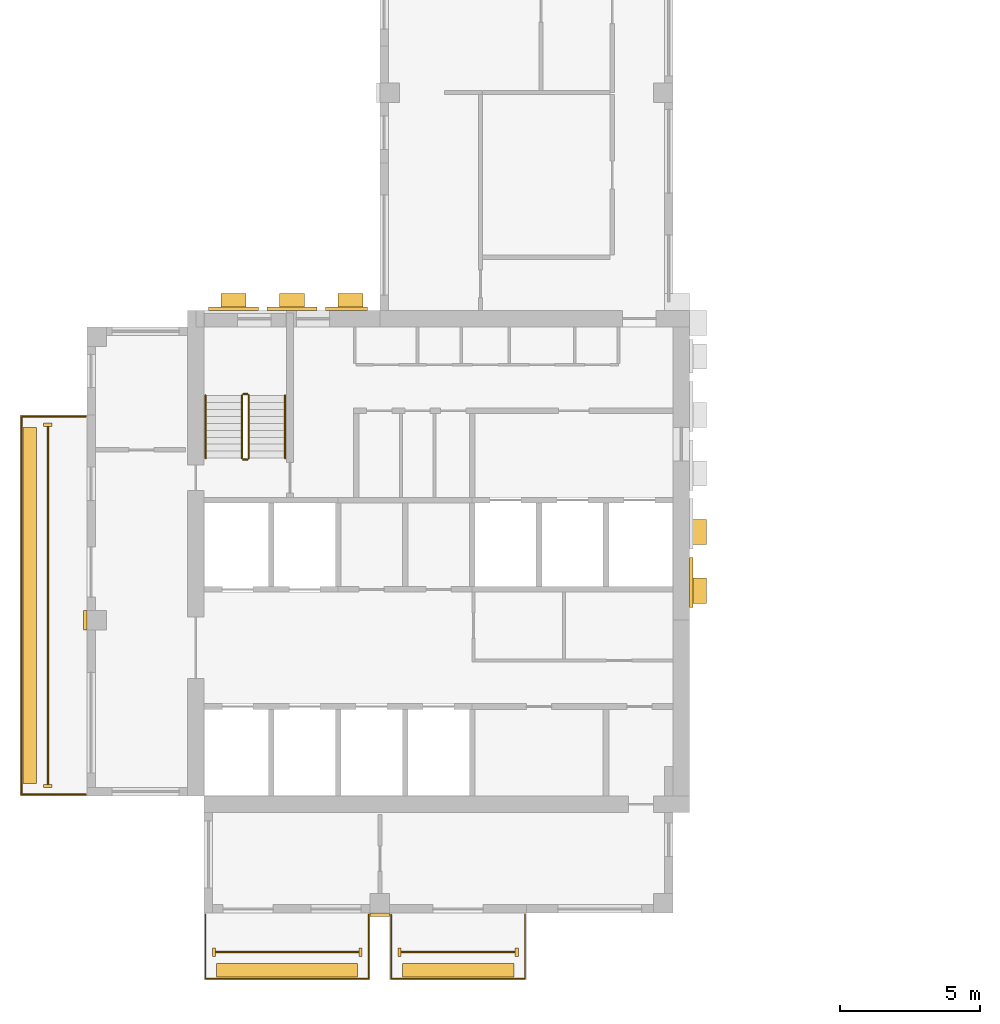
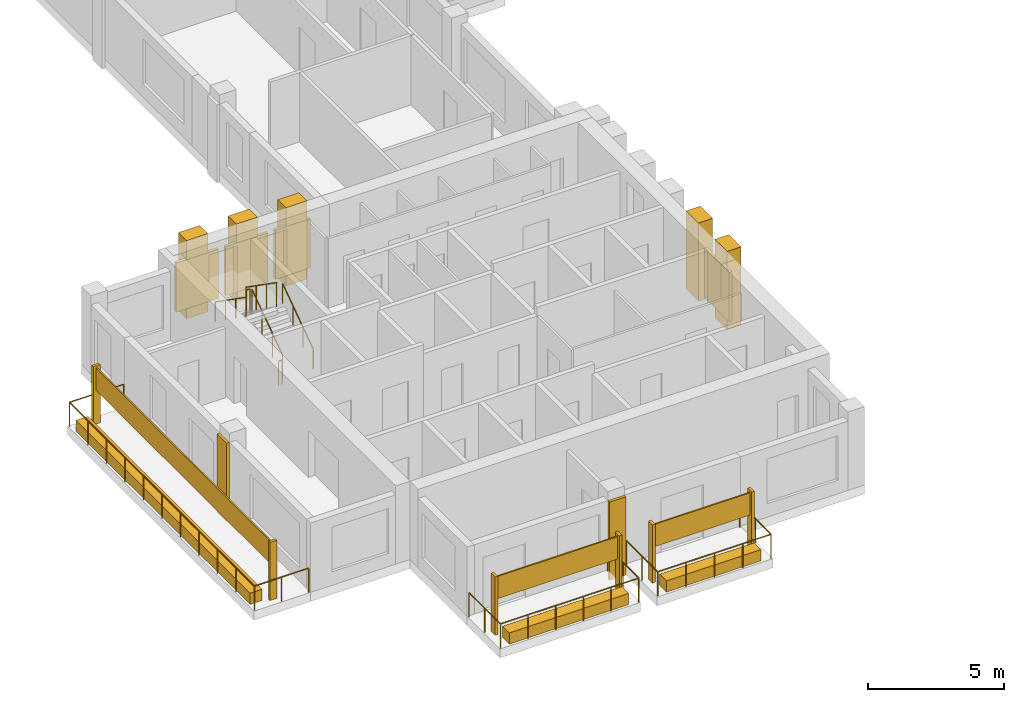
# One storey, part 6 of 9: 23 coverings, 9 railings.
"""IFC4 building model written with IfcOpenShell, lengths in metres."""

from ifc_helpers import new_model, si_unit, direction, frame, origin, origin_2d, place, context, subcontext, project, spatial, rectangle, circle, extrude, source, transform, mapped, material, type_object, element, save


model = new_model("IFC4")

# Units and contexts
model_context = context("Model", 3, precision=1e-05, world=origin(), true_north=direction((0.0, 1.0)))
body_context = subcontext(model_context, "Body", "Model", "MODEL_VIEW")
ifc_project = project(units=[si_unit("LENGTHUNIT", "METRE"), si_unit("AREAUNIT", "SQUARE_METRE"), si_unit("VOLUMEUNIT", "CUBIC_METRE"), si_unit("PLANEANGLEUNIT", "RADIAN"), si_unit("MASSUNIT", "GRAM", prefix="KILO")], contexts=[model_context])

# Site, building, storey
site_placement = place(None, origin())
site = spatial("IfcSite", under=ifc_project, at=site_placement, CompositionType="ELEMENT")
building_placement = place(site_placement, origin())
building = spatial("IfcBuilding", under=site, at=building_placement, Name="Aurelian Terraces", CompositionType="ELEMENT")
storey_placement = place(building_placement, frame((0.0, 0.0, 298.5)))
storey = spatial("IfcBuildingStorey", under=building, at=storey_placement, Name="L68", CompositionType="ELEMENT", Elevation=298.5)

# Railings
ifc_material_1 = material(Name="Anodised aluminium", Category="aluminium")
railing_type_1 = type_object("IfcRailingType", Name="GUARD-1100", PredefinedType="GUARDRAIL", material=ifc_material_1)
railing_1_placement = place(storey_placement, frame((4.25, -0.05, 0.0)))
element("IfcRailing", 1, at=railing_1_placement, inside=storey, type_object=railing_type_1, Name="Balcony guard L68 F01.1", PredefinedType="GUARDRAIL", context=body_context, shape_type="SweptSolid", body=[
    extrude(circle(Radius=0.024, at=origin_2d()), frame((0.0, 0.0, 1.076), z_axis=(0.0, -1.0, 0.0), x_axis=(1.0, 0.0, 0.0)), (0.0, 0.0, 1.0), 2.3),
    extrude(circle(Radius=0.024, at=origin_2d()), frame((0.0, -2.3, 1.076), z_axis=(1.0, 0.0, 0.0), x_axis=(0.0, 1.0, 0.0)), (0.0, 0.0, 1.0), 5.85),
    extrude(circle(Radius=0.024, at=origin_2d()), frame((5.85, -2.3, 1.076), z_axis=(0.0, 1.0, 0.0), x_axis=(-1.0, 0.0, 0.0)), (0.0, 0.0, 1.0), 2.3),
    extrude(circle(Radius=0.021, at=origin_2d()), origin(), (0.0, 0.0, 1.0), 1.052),
    extrude(circle(Radius=0.021, at=origin_2d()), frame((0.0, -1.15, 0.0)), (0.0, 0.0, 1.0), 1.052),
    extrude(circle(Radius=0.021, at=origin_2d()), frame((0.0, -2.3, 0.0)), (0.0, 0.0, 1.0), 1.052),
    extrude(circle(Radius=0.021, at=origin_2d()), frame((1.17, -2.3, 0.0)), (0.0, 0.0, 1.0), 1.052),
    extrude(circle(Radius=0.021, at=origin_2d()), frame((2.34, -2.3, 0.0)), (0.0, 0.0, 1.0), 1.052),
    extrude(circle(Radius=0.021, at=origin_2d()), frame((3.51, -2.3, 0.0)), (0.0, 0.0, 1.0), 1.052),
    extrude(circle(Radius=0.021, at=origin_2d()), frame((4.68, -2.3, 0.0)), (0.0, 0.0, 1.0), 1.052),
    extrude(circle(Radius=0.021, at=origin_2d()), frame((5.85, -2.3, 0.0)), (0.0, 0.0, 1.0), 1.052),
    extrude(circle(Radius=0.021, at=origin_2d()), frame((5.85, -1.15, 0.0)), (0.0, 0.0, 1.0), 1.052),
    extrude(circle(Radius=0.021, at=origin_2d()), frame((5.85, 0.0, 0.0)), (0.0, 0.0, 1.0), 1.052),
])
railing_2_placement = place(storey_placement, frame((10.9, -0.05, 0.0)))
element("IfcRailing", 2, at=railing_2_placement, inside=storey, type_object=railing_type_1, Name="Balcony guard L68 F01.2", PredefinedType="GUARDRAIL", context=body_context, shape_type="SweptSolid", body=[
    extrude(circle(Radius=0.024, at=origin_2d()), frame((0.0, 0.0, 1.076), z_axis=(0.0, -1.0, 0.0), x_axis=(1.0, 0.0, 0.0)), (0.0, 0.0, 1.0), 2.3),
    extrude(circle(Radius=0.024, at=origin_2d()), frame((0.0, -2.3, 1.076), z_axis=(1.0, 0.0, 0.0), x_axis=(0.0, 1.0, 0.0)), (0.0, 0.0, 1.0), 4.8),
    extrude(circle(Radius=0.024, at=origin_2d()), frame((4.8, -2.3, 1.076), z_axis=(0.0, 1.0, 0.0), x_axis=(-1.0, 0.0, 0.0)), (0.0, 0.0, 1.0), 2.3),
    extrude(circle(Radius=0.021, at=origin_2d()), origin(), (0.0, 0.0, 1.0), 1.052),
    extrude(circle(Radius=0.021, at=origin_2d()), frame((0.0, -1.15, 0.0)), (0.0, 0.0, 1.0), 1.052),
    extrude(circle(Radius=0.021, at=origin_2d()), frame((0.0, -2.3, 0.0)), (0.0, 0.0, 1.0), 1.052),
    extrude(circle(Radius=0.021, at=origin_2d()), frame((1.2, -2.3, 0.0)), (0.0, 0.0, 1.0), 1.052),
    extrude(circle(Radius=0.021, at=origin_2d()), frame((2.4, -2.3, 0.0)), (0.0, 0.0, 1.0), 1.052),
    extrude(circle(Radius=0.021, at=origin_2d()), frame((3.6, -2.3, 0.0)), (0.0, 0.0, 1.0), 1.052),
    extrude(circle(Radius=0.021, at=origin_2d()), frame((4.8, -2.3, 0.0)), (0.0, 0.0, 1.0), 1.052),
    extrude(circle(Radius=0.021, at=origin_2d()), frame((4.8, -1.15, 0.0)), (0.0, 0.0, 1.0), 1.052),
    extrude(circle(Radius=0.021, at=origin_2d()), frame((4.8, 0.0, 0.0)), (0.0, 0.0, 1.0), 1.052),
])

# Coverings
ifc_material_2 = material(Name="Terracotta planter with planting soil", Category="masonry")
covering_type_1 = type_object("IfcCoveringType", Name="PLANTER-TROUGH", PredefinedType="USERDEFINED", material=ifc_material_2)
covering_1_placement = place(storey_placement, frame((7.175, -2.05, 0.0), z_axis=(0.0, 0.0, 1.0), x_axis=(1.0, 0.0, 0.0)))
element("IfcCovering", 3, at=covering_1_placement, inside=storey, type_object=covering_type_1, Name="PLANTER L68 L68-F01-01", ObjectType="PLANTER", PredefinedType="USERDEFINED", context=body_context, shape_type="SweptSolid", body=[
    extrude(rectangle(XDim=5.05, YDim=0.5, at=origin_2d()), origin(), (0.0, 0.0, 1.0), 0.5),
])
covering_2_placement = place(storey_placement, frame((13.3, -2.05, 0.0), z_axis=(0.0, 0.0, 1.0), x_axis=(1.0, 0.0, 0.0)))
element("IfcCovering", 4, at=covering_2_placement, inside=storey, type_object=covering_type_1, Name="PLANTER L68 L68-F01-02", ObjectType="PLANTER", PredefinedType="USERDEFINED", context=body_context, shape_type="SweptSolid", body=[
    extrude(rectangle(XDim=4.0, YDim=0.5, at=origin_2d()), origin(), (0.0, 0.0, 1.0), 0.5),
])
ifc_material_3 = material(Name="Terracotta rainscreen cladding", Category="masonry")
covering_type_2 = type_object("IfcCoveringType", Name="SCREEN-TC", PredefinedType="CLADDING", material=ifc_material_3)
covering_3_placement = place(storey_placement, frame((7.175, -1.4, 1.5), z_axis=(0.0, 0.0, 1.0), x_axis=(1.0, 0.0, 0.0)))
element("IfcCovering", 5, at=covering_3_placement, inside=storey, type_object=covering_type_2, Name="SCREEN L68 L68-F01-01", PredefinedType="CLADDING", context=body_context, shape_type="SweptSolid", body=[
    extrude(rectangle(XDim=5.13, YDim=0.06, at=origin_2d()), origin(), (0.0, 0.0, 1.0), 1.0),
])
covering_4_placement = place(storey_placement, frame((13.3, -1.4, 1.5), z_axis=(0.0, 0.0, 1.0), x_axis=(1.0, 0.0, 0.0)))
element("IfcCovering", 6, at=covering_4_placement, inside=storey, type_object=covering_type_2, Name="SCREEN L68 L68-F01-02", PredefinedType="CLADDING", context=body_context, shape_type="SweptSolid", body=[
    extrude(rectangle(XDim=4.08, YDim=0.06, at=origin_2d()), origin(), (0.0, 0.0, 1.0), 1.0),
])
ifc_material_4 = material(Name="Terracotta rainscreen cladding relief", Category="masonry")
covering_type_3 = type_object("IfcCoveringType", Name="FIN-TC", PredefinedType="CLADDING", material=ifc_material_4)
shared_shape_1 = source(origin(), body_context, "Body", "SweptSolid", [
    extrude(rectangle(XDim=0.3, YDim=0.12, at=origin_2d()), origin(), (0.0, 0.0, 1.0), 2.6),
])
for number, where, z_axis, x_axis, name in (
    (7, (-1.4, 17.5, 0.0), (0.0, 0.0, 1.0), (1.0, 0.0, 0.0), "FIN L68 L68-F10-20.1"),
    (8, (-1.4, 4.55, 0.0), (0.0, 0.0, 1.0), (1.0, 0.0, 0.0), "FIN L68 L68-F10-20.2"),
):
    element("IfcCovering", number, at=place(storey_placement, frame(where, z_axis=z_axis, x_axis=x_axis)), inside=storey, type_object=covering_type_3, Name=name, PredefinedType="CLADDING", context=body_context, shape_type="MappedRepresentation", body=[
        mapped(shared_shape_1, transform((0.0, 0.0, 0.0), scale=1.0)),
    ])
shared_shape_2 = source(origin(), body_context, "Body", "SweptSolid", [
    extrude(rectangle(XDim=0.12, YDim=0.3, at=origin_2d()), origin(), (0.0, 0.0, 1.0), 2.6),
])
for number, where, z_axis, x_axis, name in (
    (9, (4.55, -1.4, 0.0), (0.0, 0.0, 1.0), (1.0, 0.0, 0.0), "FIN L68 L68-F01-01.1"),
    (10, (9.8, -1.4, 0.0), (0.0, 0.0, 1.0), (1.0, 0.0, 0.0), "FIN L68 L68-F01-01.2"),
    (11, (11.2, -1.4, 0.0), (0.0, 0.0, 1.0), (1.0, 0.0, 0.0), "FIN L68 L68-F01-02.1"),
    (12, (15.4, -1.4, 0.0), (0.0, 0.0, 1.0), (1.0, 0.0, 0.0), "FIN L68 L68-F01-02.2"),
):
    element("IfcCovering", number, at=place(storey_placement, frame(where, z_axis=z_axis, x_axis=x_axis)), inside=storey, type_object=covering_type_3, Name=name, PredefinedType="CLADDING", context=body_context, shape_type="MappedRepresentation", body=[
        mapped(shared_shape_2, transform((0.0, 0.0, 0.0), scale=1.0)),
    ])

# Railing
shared_shape_3 = source(origin(), body_context, "Body", "SweptSolid", [
    extrude(circle(Radius=0.024, at=origin_2d()), frame((0.0, 0.0, 1.076), z_axis=(-1.0, 0.0, 0.0), x_axis=(0.0, -1.0, 0.0)), (0.0, 0.0, 1.0), 2.3),
    extrude(circle(Radius=0.024, at=origin_2d()), frame((-2.3, 0.0, 1.076), z_axis=(0.0, -1.0, 0.0), x_axis=(1.0, 0.0, 0.0)), (0.0, 0.0, 1.0), 13.55),
    extrude(circle(Radius=0.024, at=origin_2d()), frame((-2.3, -13.55, 1.076), z_axis=(1.0, 0.0, 0.0), x_axis=(0.0, 1.0, 0.0)), (0.0, 0.0, 1.0), 2.3),
    extrude(circle(Radius=0.021, at=origin_2d()), origin(), (0.0, 0.0, 1.0), 1.052),
    extrude(circle(Radius=0.021, at=origin_2d()), frame((-1.15, 0.0, 0.0)), (0.0, 0.0, 1.0), 1.052),
    extrude(circle(Radius=0.021, at=origin_2d()), frame((-2.3, 0.0, 0.0)), (0.0, 0.0, 1.0), 1.052),
    extrude(circle(Radius=0.021, at=origin_2d()), frame((-2.3, -1.355, 0.0)), (0.0, 0.0, 1.0), 1.052),
    extrude(circle(Radius=0.021, at=origin_2d()), frame((-2.3, -2.71, 0.0)), (0.0, 0.0, 1.0), 1.052),
    extrude(circle(Radius=0.021, at=origin_2d()), frame((-2.3, -4.065, 0.0)), (0.0, 0.0, 1.0), 1.052),
    extrude(circle(Radius=0.021, at=origin_2d()), frame((-2.3, -5.42, 0.0)), (0.0, 0.0, 1.0), 1.052),
    extrude(circle(Radius=0.021, at=origin_2d()), frame((-2.3, -6.775, 0.0)), (0.0, 0.0, 1.0), 1.052),
    extrude(circle(Radius=0.021, at=origin_2d()), frame((-2.3, -8.13, 0.0)), (0.0, 0.0, 1.0), 1.052),
    extrude(circle(Radius=0.021, at=origin_2d()), frame((-2.3, -9.485, 0.0)), (0.0, 0.0, 1.0), 1.052),
    extrude(circle(Radius=0.021, at=origin_2d()), frame((-2.3, -10.84, 0.0)), (0.0, 0.0, 1.0), 1.052),
    extrude(circle(Radius=0.021, at=origin_2d()), frame((-2.3, -12.195, 0.0)), (0.0, 0.0, 1.0), 1.052),
    extrude(circle(Radius=0.021, at=origin_2d()), frame((-2.3, -13.55, 0.0)), (0.0, 0.0, 1.0), 1.052),
    extrude(circle(Radius=0.021, at=origin_2d()), frame((-1.15, -13.55, 0.0)), (0.0, 0.0, 1.0), 1.052),
    extrude(circle(Radius=0.021, at=origin_2d()), frame((0.0, -13.55, 0.0)), (0.0, 0.0, 1.0), 1.052),
])
railing_3_placement = place(storey_placement, frame((-0.05, 17.8, 0.0)))
element("IfcRailing", 13, at=railing_3_placement, inside=storey, type_object=railing_type_1, Name="Balcony guard L68 F10.20", PredefinedType="GUARDRAIL", context=body_context, shape_type="MappedRepresentation", body=[
    mapped(shared_shape_3, transform((0.0, 0.0, 0.0), scale=1.0)),
])

# Coverings
shared_shape_4 = source(origin(), body_context, "Body", "SweptSolid", [
    extrude(rectangle(XDim=0.5, YDim=12.75, at=origin_2d()), origin(), (0.0, 0.0, 1.0), 0.5),
])
covering_5_placement = place(storey_placement, frame((-2.05, 11.025, 0.0), z_axis=(0.0, 0.0, 1.0), x_axis=(1.0, 0.0, 0.0)))
element("IfcCovering", 14, at=covering_5_placement, inside=storey, type_object=covering_type_1, Name="PLANTER L68 L68-F10-20", ObjectType="PLANTER", PredefinedType="USERDEFINED", context=body_context, shape_type="MappedRepresentation", body=[
    mapped(shared_shape_4, transform((0.0, 0.0, 0.0), scale=1.0)),
])
shared_shape_5 = source(origin(), body_context, "Body", "SweptSolid", [
    extrude(rectangle(XDim=0.06, YDim=12.83, at=origin_2d()), origin(), (0.0, 0.0, 1.0), 1.0),
])
covering_6_placement = place(storey_placement, frame((-1.4, 11.025, 1.5), z_axis=(0.0, 0.0, 1.0), x_axis=(1.0, 0.0, 0.0)))
element("IfcCovering", 15, at=covering_6_placement, inside=storey, type_object=covering_type_2, Name="SCREEN L68 L68-F10-20", PredefinedType="CLADDING", context=body_context, shape_type="MappedRepresentation", body=[
    mapped(shared_shape_5, transform((0.0, 0.0, 0.0), scale=1.0)),
])
ifc_material_5 = material(Name="Terracotta rainscreen cladding louvre blades", Category="masonry")
covering_type_4 = type_object("IfcCoveringType", Name="LOUVRE-TC", PredefinedType="CLADDING", material=ifc_material_5)
shared_shape_6 = source(origin(), body_context, "Body", "SweptSolid", [
    extrude(rectangle(XDim=0.12, YDim=1.8, at=origin_2d()), origin(), (0.0, 0.0, 1.0), 2.2),
])
covering_7_placement = place(storey_placement, frame((21.66, 11.85, 0.45), z_axis=(0.0, 0.0, 1.0), x_axis=(1.0, 0.0, 0.0)))
element("IfcCovering", 16, at=covering_7_placement, inside=storey, type_object=covering_type_4, Name="LOUVRE L68 core face E.1", PredefinedType="CLADDING", context=body_context, shape_type="MappedRepresentation", body=[
    mapped(shared_shape_6, transform((0.0, 0.0, 0.0), scale=1.0)),
])
shared_shape_7 = source(origin(), body_context, "Body", "SweptSolid", [
    extrude(rectangle(XDim=1.8, YDim=0.12, at=origin_2d()), origin(), (0.0, 0.0, 1.0), 2.2),
])
for number, where, z_axis, x_axis, name in (
    (17, (5.25, 21.66, 0.45), (0.0, 0.0, 1.0), (1.0, 0.0, 0.0), "LOUVRE L68 core face N.1"),
    (18, (7.35, 21.66, 0.45), (0.0, 0.0, 1.0), (1.0, 0.0, 0.0), "LOUVRE L68 core face N.2"),
):
    element("IfcCovering", number, at=place(storey_placement, frame(where, z_axis=z_axis, x_axis=x_axis)), inside=storey, type_object=covering_type_4, Name=name, PredefinedType="CLADDING", context=body_context, shape_type="MappedRepresentation", body=[
        mapped(shared_shape_7, transform((0.0, 0.0, 0.0), scale=1.0)),
    ])
covering_type_5 = type_object("IfcCoveringType", Name="BAGUETTE-TC", PredefinedType="CLADDING", material=ifc_material_4)
shared_shape_8 = source(origin(), body_context, "Body", "SweptSolid", [
    extrude(rectangle(XDim=0.7, YDim=0.12, at=origin_2d()), origin(), (0.0, 0.0, 1.0), 3.5),
])
covering_8_placement = place(storey_placement, frame((10.5, -0.06, -0.4), z_axis=(0.0, 0.0, 1.0), x_axis=(1.0, 0.0, 0.0)))
element("IfcCovering", 19, at=covering_8_placement, inside=storey, type_object=covering_type_5, Name="BAGUETTE pier L68 1", PredefinedType="CLADDING", context=body_context, shape_type="MappedRepresentation", body=[
    mapped(shared_shape_8, transform((0.0, 0.0, 0.0), scale=1.0)),
])
shared_shape_9 = source(origin(), body_context, "Body", "SweptSolid", [
    extrude(rectangle(XDim=0.12, YDim=0.7, at=origin_2d()), origin(), (0.0, 0.0, 1.0), 3.5),
])
covering_9_placement = place(storey_placement, frame((-0.06, 10.5, -0.4), z_axis=(0.0, 0.0, 1.0), x_axis=(1.0, 0.0, 0.0)))
element("IfcCovering", 20, at=covering_9_placement, inside=storey, type_object=covering_type_5, Name="BAGUETTE pier L68 4", PredefinedType="CLADDING", context=body_context, shape_type="MappedRepresentation", body=[
    mapped(shared_shape_9, transform((0.0, 0.0, 0.0), scale=1.0)),
])
shared_shape_10 = source(origin(), body_context, "Body", "SweptSolid", [
    extrude(rectangle(XDim=1.5, YDim=0.12, at=origin_2d()), origin(), (0.0, 0.0, 1.0), 2.2),
])
covering_10_placement = place(storey_placement, frame((9.3, 21.66, 0.45), z_axis=(0.0, 0.0, 1.0), x_axis=(1.0, 0.0, 0.0)))
element("IfcCovering", 21, at=covering_10_placement, inside=storey, type_object=covering_type_4, Name="LOUVRE L68 core face N.3", PredefinedType="CLADDING", context=body_context, shape_type="MappedRepresentation", body=[
    mapped(shared_shape_10, transform((0.0, 0.0, 0.0), scale=1.0)),
])

# Railings
ifc_material_6 = material(Name="Stainless steel", Category="steel")
railing_type_2 = type_object("IfcRailingType", Name="Stair guard 1100", PredefinedType="GUARDRAIL", material=ifc_material_6)
shared_shape_11 = source(origin(), body_context, "Body", "SweptSolid", [
    extrude(circle(Radius=0.024, at=origin_2d()), frame((0.0, 0.0, 1.076), z_axis=(-1.0, 0.0, 0.0), x_axis=(0.0, -1.0, 0.0)), (0.0, 0.0, 1.0), 0.15),
    extrude(circle(Radius=0.021, at=origin_2d()), origin(), (0.0, 0.0, 1.0), 1.052),
    extrude(circle(Radius=0.021, at=origin_2d()), frame((-0.15, 0.0, 0.0)), (0.0, 0.0, 1.0), 1.052),
])
for number, where, name in (
    (22, (5.75, 18.6, 1.75), "L68 S1 stair guard 2"),
    (23, (5.75, 16.25, 0.0), "L68 S1 stair guard 4"),
):
    element("IfcRailing", number, at=place(storey_placement, frame(where)), inside=storey, type_object=railing_type_2, Name=name, PredefinedType="GUARDRAIL", context=body_context, shape_type="MappedRepresentation", body=[
        mapped(shared_shape_11, transform((0.0, 0.0, 0.0), scale=1.0)),
    ])
shared_shape_12 = source(origin(), body_context, "Body", "SweptSolid", [
    extrude(circle(Radius=0.024, at=origin_2d()), frame((0.0, 0.0, 1.076), z_axis=(0.0, 0.819231920519, 0.573462344363), x_axis=(-1.0, 0.0, 0.0)), (0.0, 0.0, 1.0), 2.7465),
    extrude(circle(Radius=0.021, at=origin_2d()), origin(), (0.0, 0.0, 1.0), 1.052),
    extrude(circle(Radius=0.021, at=origin_2d()), frame((0.0, 0.75, 0.525)), (0.0, 0.0, 1.0), 1.052),
    extrude(circle(Radius=0.021, at=origin_2d()), frame((0.0, 1.5, 1.05)), (0.0, 0.0, 1.0), 1.052),
    extrude(circle(Radius=0.021, at=origin_2d()), frame((0.0, 2.25, 1.575)), (0.0, 0.0, 1.0), 1.052),
])
railing_4_placement = place(storey_placement, frame((5.8, 16.3, 0.175)))
element("IfcRailing", 24, at=railing_4_placement, inside=storey, type_object=railing_type_2, Name="L68 S1 stair guard 1", PredefinedType="GUARDRAIL", context=body_context, shape_type="MappedRepresentation", body=[
    mapped(shared_shape_12, transform((0.0, 0.0, 0.0), scale=1.0)),
])
shared_shape_13 = source(origin(), body_context, "Body", "SweptSolid", [
    extrude(circle(Radius=0.024, at=origin_2d()), frame((0.0, 0.0, 1.076), z_axis=(0.0, -0.819231920519, 0.573462344363), x_axis=(1.0, 0.0, 0.0)), (0.0, 0.0, 1.0), 2.7465),
    extrude(circle(Radius=0.021, at=origin_2d()), origin(), (0.0, 0.0, 1.0), 1.052),
    extrude(circle(Radius=0.021, at=origin_2d()), frame((0.0, -0.75, 0.525)), (0.0, 0.0, 1.0), 1.052),
    extrude(circle(Radius=0.021, at=origin_2d()), frame((0.0, -1.5, 1.05)), (0.0, 0.0, 1.0), 1.052),
    extrude(circle(Radius=0.021, at=origin_2d()), frame((0.0, -2.25, 1.575)), (0.0, 0.0, 1.0), 1.052),
])
railing_5_placement = place(storey_placement, frame((5.55, 18.55, 1.925)))
element("IfcRailing", 25, at=railing_5_placement, inside=storey, type_object=railing_type_2, Name="L68 S1 stair guard 3", PredefinedType="GUARDRAIL", context=body_context, shape_type="MappedRepresentation", body=[
    mapped(shared_shape_13, transform((0.0, 0.0, 0.0), scale=1.0)),
])
railing_type_3 = type_object("IfcRailingType", Name="Stair handrail", PredefinedType="HANDRAIL", material=ifc_material_6)
shared_shape_14 = source(origin(), body_context, "Body", "SweptSolid", [
    extrude(circle(Radius=0.024, at=origin_2d()), frame((0.0, 0.0, 0.876), z_axis=(0.0, 0.819231920519, 0.573462344363), x_axis=(-1.0, 0.0, 0.0)), (0.0, 0.0, 1.0), 2.7465),
    extrude(circle(Radius=0.021, at=origin_2d()), origin(), (0.0, 0.0, 1.0), 0.852),
    extrude(circle(Radius=0.021, at=origin_2d()), frame((0.0, 0.75, 0.525)), (0.0, 0.0, 1.0), 0.852),
    extrude(circle(Radius=0.021, at=origin_2d()), frame((0.0, 1.5, 1.05)), (0.0, 0.0, 1.0), 0.852),
    extrude(circle(Radius=0.021, at=origin_2d()), frame((0.0, 2.25, 1.575)), (0.0, 0.0, 1.0), 0.852),
])
railing_6_placement = place(storey_placement, frame((7.1, 16.3, 0.175)))
element("IfcRailing", 26, at=railing_6_placement, inside=storey, type_object=railing_type_3, Name="L68 S1 stair handrail 1", PredefinedType="HANDRAIL", context=body_context, shape_type="MappedRepresentation", body=[
    mapped(shared_shape_14, transform((0.0, 0.0, 0.0), scale=1.0)),
])
shared_shape_15 = source(origin(), body_context, "Body", "SweptSolid", [
    extrude(circle(Radius=0.024, at=origin_2d()), frame((0.0, 0.0, 0.876), z_axis=(0.0, -0.819231920519, 0.573462344363), x_axis=(1.0, 0.0, 0.0)), (0.0, 0.0, 1.0), 2.7465),
    extrude(circle(Radius=0.021, at=origin_2d()), origin(), (0.0, 0.0, 1.0), 0.852),
    extrude(circle(Radius=0.021, at=origin_2d()), frame((0.0, -0.75, 0.525)), (0.0, 0.0, 1.0), 0.852),
    extrude(circle(Radius=0.021, at=origin_2d()), frame((0.0, -1.5, 1.05)), (0.0, 0.0, 1.0), 0.852),
    extrude(circle(Radius=0.021, at=origin_2d()), frame((0.0, -2.25, 1.575)), (0.0, 0.0, 1.0), 0.852),
])
railing_7_placement = place(storey_placement, frame((4.25, 18.55, 1.925)))
element("IfcRailing", 27, at=railing_7_placement, inside=storey, type_object=railing_type_3, Name="L68 S1 stair handrail 2", PredefinedType="HANDRAIL", context=body_context, shape_type="MappedRepresentation", body=[
    mapped(shared_shape_15, transform((0.0, 0.0, 0.0), scale=1.0)),
])

# Coverings
covering_type_6 = type_object("IfcCoveringType", Name="Core spine pier 900x600", PredefinedType="CLADDING", material=ifc_material_4)
shared_shape_16 = source(origin(), body_context, "Body", "SweptSolid", [
    extrude(rectangle(XDim=0.6, YDim=0.9, at=origin_2d()), origin(), (0.0, 0.0, 1.0), 3.5),
])
for number, where, z_axis, x_axis, name in (
    (28, (21.9, 11.55, 0.0), (0.0, 0.0, 1.0), (1.0, 0.0, 0.0), "Spine pier L68 E1"),
    (29, (21.9, 13.65, 0.0), (0.0, 0.0, 1.0), (1.0, 0.0, 0.0), "Spine pier L68 E2"),
):
    element("IfcCovering", number, at=place(storey_placement, frame(where, z_axis=z_axis, x_axis=x_axis)), inside=storey, type_object=covering_type_6, Name=name, PredefinedType="CLADDING", context=body_context, shape_type="MappedRepresentation", body=[
        mapped(shared_shape_16, transform((0.0, 0.0, 0.0), scale=1.0)),
    ])
shared_shape_17 = source(origin(), body_context, "Body", "SweptSolid", [
    extrude(rectangle(XDim=0.9, YDim=0.6, at=origin_2d()), origin(), (0.0, 0.0, 1.0), 3.5),
])
for number, where, z_axis, x_axis, name in (
    (30, (5.25, 21.9, 0.0), (0.0, 0.0, 1.0), (1.0, 0.0, 0.0), "Spine pier L68 N6"),
    (31, (7.35, 21.9, 0.0), (0.0, 0.0, 1.0), (1.0, 0.0, 0.0), "Spine pier L68 N7"),
    (32, (9.45, 21.9, 0.0), (0.0, 0.0, 1.0), (1.0, 0.0, 0.0), "Spine pier L68 N8"),
):
    element("IfcCovering", number, at=place(storey_placement, frame(where, z_axis=z_axis, x_axis=x_axis)), inside=storey, type_object=covering_type_6, Name=name, PredefinedType="CLADDING", context=body_context, shape_type="MappedRepresentation", body=[
        mapped(shared_shape_17, transform((0.0, 0.0, 0.0), scale=1.0)),
    ])

save(model, "model.ifc")
